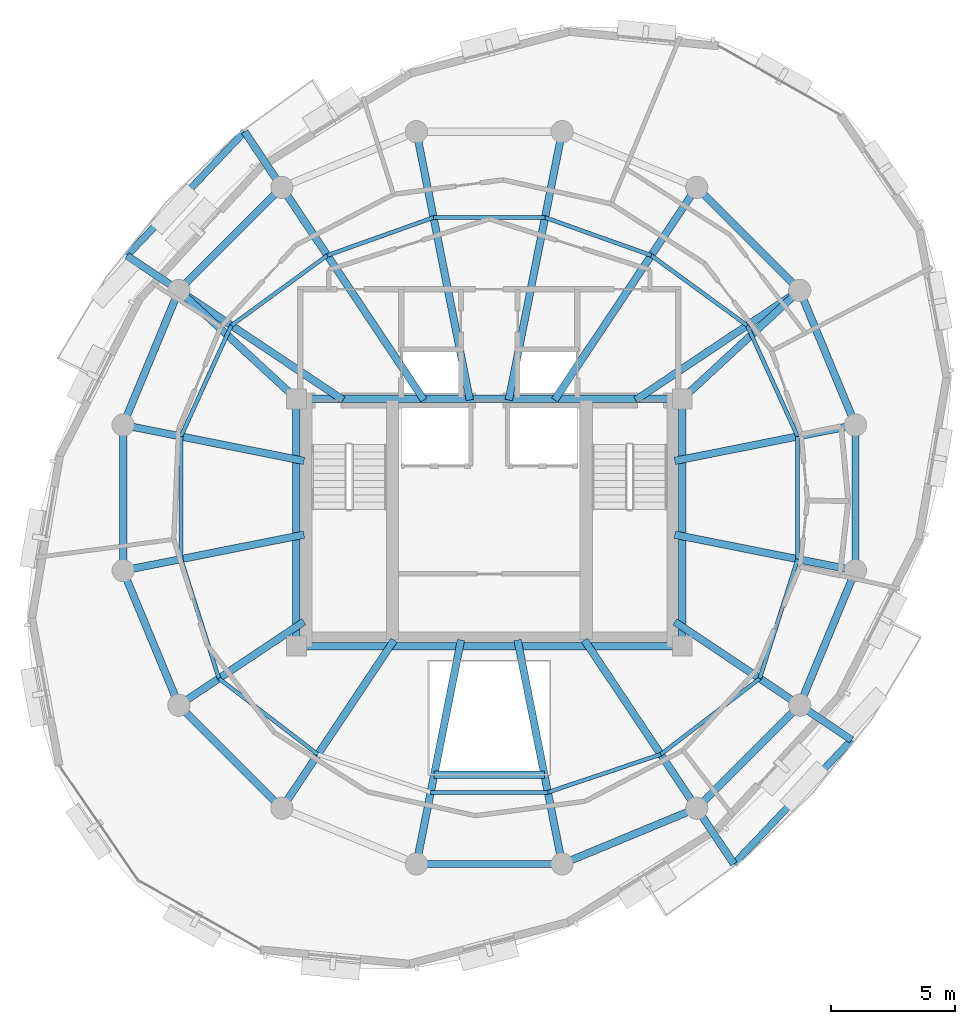
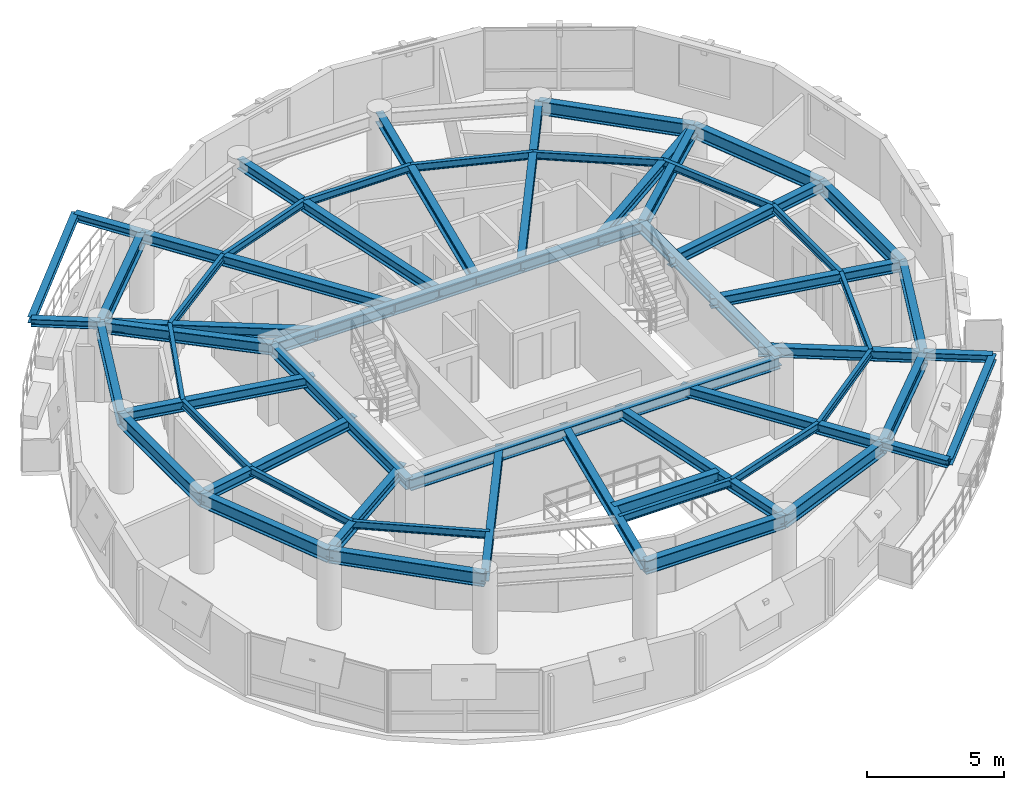
# One storey, part 4 of 12: 56 beams.
"""IFC4 building model written with IfcOpenShell, lengths in metres."""

from ifc_helpers import new_model, si_unit, direction, frame, origin, origin_2d, place, context, subcontext, project, spatial, i_section, extrude, material, material_profile, profile_set, type_object, element, save


model = new_model("IFC4")

# Units and contexts
model_context = context("Model", 3, precision=1e-05, world=origin(), true_north=direction((0.0, 1.0)))
body_context = subcontext(model_context, "Body", "Model", "MODEL_VIEW")
ifc_project = project(units=[si_unit("LENGTHUNIT", "METRE"), si_unit("AREAUNIT", "SQUARE_METRE"), si_unit("VOLUMEUNIT", "CUBIC_METRE"), si_unit("PLANEANGLEUNIT", "RADIAN"), si_unit("MASSUNIT", "GRAM", prefix="KILO"), si_unit("THERMODYNAMICTEMPERATUREUNIT", "KELVIN"), si_unit("POWERUNIT", "WATT")], contexts=[model_context])

# Site, building, storey
site_placement = place(None, origin())
site = spatial("IfcSite", under=ifc_project, at=site_placement, CompositionType="ELEMENT")
building_placement = place(site_placement, origin())
building = spatial("IfcBuilding", under=site, at=building_placement, Name="Ocrelia Relay Tower", CompositionType="ELEMENT")
storey_placement = place(building_placement, frame((0.0, 0.0, 230.39990234375)))
storey = spatial("IfcBuildingStorey", under=building, at=storey_placement, Name="L56", CompositionType="ELEMENT", Elevation=230.39990234375)

# Beams
ifc_material = material(Name="Steel S355", Category="steel")
ifc_material_profile_1 = material_profile(ifc_material, i_section(OverallWidth=0.280029296875, OverallDepth=0.27001953125, WebThickness=0.008056640625, FlangeThickness=0.012939453125, FilletRadius=0.02392578125, at=origin_2d()), Name="HEA 280")
ifc_profile_set_1 = profile_set([ifc_material_profile_1], Name="Steel S355")
beam_type_1 = type_object("IfcBeamType", Name="BM-HEA280", PredefinedType="BEAM", material=ifc_profile_set_1)
for number, where, z_axis, x_axis, name in (
    (1, (24.10498046875, 40.808837890625, 3.2451171875), (-0.68831140645, -0.725415334654, 0.0), (0.725415334654, -0.68831140645, 0.0), "L57 Balcony Edge Trimmer Beam B1"),
    (2, (43.89501953125, 11.191162109375, 3.2451171875), (0.68831140645, 0.725415334654, 0.0), (-0.725415334654, 0.68831140645, 0.0), "L57 Balcony Edge Trimmer Beam B2"),
):
    element("IfcBeam", number, at=place(storey_placement, frame(where, z_axis=z_axis, x_axis=x_axis)), inside=storey, type_object=beam_type_1, Name=name, PredefinedType="BEAM", context=body_context, shape_type="SweptSolid", body=[
        extrude(i_section(OverallWidth=0.280029296875, OverallDepth=0.27001953125, WebThickness=0.008056640625, FlangeThickness=0.012939453125, FilletRadius=0.02392578125, at=origin_2d()), origin(), (0.0, 0.0, 1.0), 6.91552734375),
    ])
ifc_material_profile_2 = material_profile(ifc_material, i_section(OverallWidth=0.300048828125, OverallDepth=0.330078125, WebThickness=0.009521484375, FlangeThickness=0.0166015625, FilletRadius=0.027099609375, at=origin_2d()), Name="HEA 340")
ifc_profile_set_2 = profile_set([ifc_material_profile_2], Name="Steel S355")
beam_type_2 = type_object("IfcBeamType", Name="BM-HEA340", PredefinedType="BEAM", material=ifc_profile_set_2)
beam_1_placement = place(storey_placement, frame((25.61083984375, 38.55517578125, 3.215087890625), z_axis=(-0.555572910279, 0.831467823409, 0.0), x_axis=(-0.831467823409, -0.555572910279, 0.0)))
element("IfcBeam", 3, at=beam_1_placement, inside=storey, type_object=beam_type_2, Name="L57 Balcony Cantilever Beam B1-1", PredefinedType="BEAM", context=body_context, shape_type="SweptSolid", body=[
    extrude(i_section(OverallWidth=0.300048828125, OverallDepth=0.330078125, WebThickness=0.009521484375, FlangeThickness=0.0166015625, FilletRadius=0.027099609375, at=origin_2d()), origin(), (0.0, 0.0, 1.0), 2.71044921875),
])
beam_2_placement = place(storey_placement, frame((21.44482421875, 34.38916015625, 3.215087890625), z_axis=(-0.831469811682, 0.555569934628, 0.0), x_axis=(-0.555569934628, -0.831469811682, 0.0)))
element("IfcBeam", 4, at=beam_2_placement, inside=storey, type_object=beam_type_2, Name="L57 Balcony Cantilever Beam B1-2", PredefinedType="BEAM", context=body_context, shape_type="SweptSolid", body=[
    extrude(i_section(OverallWidth=0.300048828125, OverallDepth=0.330078125, WebThickness=0.009521484375, FlangeThickness=0.0166015625, FilletRadius=0.027099609375, at=origin_2d()), origin(), (0.0, 0.0, 1.0), 2.525390625),
])
beam_3_placement = place(storey_placement, frame((42.38916015625, 13.44482421875, 3.215087890625), z_axis=(0.555572910279, -0.831467823409, 0.0), x_axis=(0.831467823409, 0.555572910279, 0.0)))
element("IfcBeam", 5, at=beam_3_placement, inside=storey, type_object=beam_type_2, Name="L57 Balcony Cantilever Beam B2-1", PredefinedType="BEAM", context=body_context, shape_type="SweptSolid", body=[
    extrude(i_section(OverallWidth=0.300048828125, OverallDepth=0.330078125, WebThickness=0.009521484375, FlangeThickness=0.0166015625, FilletRadius=0.027099609375, at=origin_2d()), origin(), (0.0, 0.0, 1.0), 2.71044921875),
])
beam_4_placement = place(storey_placement, frame((46.55517578125, 17.61083984375, 3.215087890625), z_axis=(0.831469811682, -0.555569934628, 0.0), x_axis=(0.555569934628, 0.831469811682, 0.0)))
element("IfcBeam", 6, at=beam_4_placement, inside=storey, type_object=beam_type_2, Name="L57 Balcony Cantilever Beam B2-2", PredefinedType="BEAM", context=body_context, shape_type="SweptSolid", body=[
    extrude(i_section(OverallWidth=0.300048828125, OverallDepth=0.330078125, WebThickness=0.009521484375, FlangeThickness=0.0166015625, FilletRadius=0.027099609375, at=origin_2d()), origin(), (0.0, 0.0, 1.0), 2.525390625),
])
ifc_material_profile_3 = material_profile(ifc_material, i_section(OverallWidth=0.300048828125, OverallDepth=0.449951171875, WebThickness=0.013916015625, FlangeThickness=0.02587890625, FilletRadius=0.027099609375, at=origin_2d()), Name="HEB 450")
ifc_profile_set_3 = profile_set([ifc_material_profile_3], Name="Steel S355")
beam_type_3 = type_object("IfcBeamType", Name="BM-HEB450", PredefinedType="BEAM", material=ifc_profile_set_3)
beam_5_placement = place(storey_placement, frame((48.809814453125, 28.94580078125, 3.155029296875), z_axis=(-0.980789400571, -0.195069607393, 0.0), x_axis=(0.195069607393, -0.980789400571, 0.0)))
element("IfcBeam", 7, at=beam_5_placement, inside=storey, type_object=beam_type_3, Name="L56 Radial Floor Girder R01", PredefinedType="BEAM", context=body_context, shape_type="SweptSolid", body=[
    extrude(i_section(OverallWidth=0.300048828125, OverallDepth=0.449951171875, WebThickness=0.013916015625, FlangeThickness=0.02587890625, FilletRadius=0.027099609375, at=origin_2d()), origin(), (0.0, 0.0, 1.0), 7.447998046875),
])
beam_6_placement = place(storey_placement, frame((46.55517578125, 34.38916015625, 3.155029296875), z_axis=(-0.83146627118, -0.555575233331, 0.0), x_axis=(0.555575233331, -0.83146627118, 0.0)))
element("IfcBeam", 8, at=beam_6_placement, inside=storey, type_object=beam_type_3, Name="L56 Radial Floor Girder R02", PredefinedType="BEAM", context=body_context, shape_type="SweptSolid", body=[
    extrude(i_section(OverallWidth=0.300048828125, OverallDepth=0.449951171875, WebThickness=0.013916015625, FlangeThickness=0.02587890625, FilletRadius=0.027099609375, at=origin_2d()), origin(), (0.0, 0.0, 1.0), 7.98095703125),
])
beam_7_placement = place(storey_placement, frame((42.38916015625, 38.55517578125, 3.155029296875), z_axis=(-0.555582296999, -0.831461551283, 0.0), x_axis=(0.831461551283, -0.555582296999, 0.0)))
element("IfcBeam", 9, at=beam_7_placement, inside=storey, type_object=beam_type_3, Name="L56 Radial Floor Girder R03", PredefinedType="BEAM", context=body_context, shape_type="SweptSolid", body=[
    extrude(i_section(OverallWidth=0.300048828125, OverallDepth=0.449951171875, WebThickness=0.013916015625, FlangeThickness=0.02587890625, FilletRadius=0.027099609375, at=origin_2d()), origin(), (0.0, 0.0, 1.0), 10.34326171875),
])
for number, where, z_axis, x_axis, name in (
    (10, (36.94580078125, 40.809814453125, 3.155029296875), (-0.195093658495, -0.98078461673, 0.0), (0.98078461673, -0.195093658495, 0.0), "L56 Radial Floor Girder R04"),
    (11, (31.05419921875, 40.809814453125, 3.155029296875), (0.195093658495, -0.98078461673, 0.0), (0.98078461673, 0.195093658495, 0.0), "L56 Radial Floor Girder R05"),
):
    element("IfcBeam", number, at=place(storey_placement, frame(where, z_axis=z_axis, x_axis=x_axis)), inside=storey, type_object=beam_type_3, Name=name, PredefinedType="BEAM", context=body_context, shape_type="SweptSolid", body=[
        extrude(i_section(OverallWidth=0.300048828125, OverallDepth=0.449951171875, WebThickness=0.013916015625, FlangeThickness=0.02587890625, FilletRadius=0.027099609375, at=origin_2d()), origin(), (0.0, 0.0, 1.0), 11.0673828125),
    ])
beam_8_placement = place(storey_placement, frame((25.61083984375, 38.55517578125, 3.155029296875), z_axis=(0.555582296999, -0.831461551283, 0.0), x_axis=(0.831461551283, 0.555582296999, 0.0)))
element("IfcBeam", 12, at=beam_8_placement, inside=storey, type_object=beam_type_3, Name="L56 Radial Floor Girder R06", PredefinedType="BEAM", context=body_context, shape_type="SweptSolid", body=[
    extrude(i_section(OverallWidth=0.300048828125, OverallDepth=0.449951171875, WebThickness=0.013916015625, FlangeThickness=0.02587890625, FilletRadius=0.027099609375, at=origin_2d()), origin(), (0.0, 0.0, 1.0), 10.34326171875),
])
beam_9_placement = place(storey_placement, frame((21.44482421875, 34.38916015625, 3.155029296875), z_axis=(0.83146627118, -0.555575233331, 0.0), x_axis=(0.555575233331, 0.83146627118, 0.0)))
element("IfcBeam", 13, at=beam_9_placement, inside=storey, type_object=beam_type_3, Name="L56 Radial Floor Girder R07", PredefinedType="BEAM", context=body_context, shape_type="SweptSolid", body=[
    extrude(i_section(OverallWidth=0.300048828125, OverallDepth=0.449951171875, WebThickness=0.013916015625, FlangeThickness=0.02587890625, FilletRadius=0.027099609375, at=origin_2d()), origin(), (0.0, 0.0, 1.0), 7.98095703125),
])
for number, where, z_axis, x_axis, name in (
    (14, (19.190185546875, 28.94580078125, 3.155029296875), (0.980789122594, -0.195071005024, 0.0), (0.195071005024, 0.980789122594, 0.0), "L56 Radial Floor Girder R08"),
    (15, (19.190185546875, 23.05419921875, 3.155029296875), (0.980789122594, 0.195071005024, 0.0), (-0.195071005024, 0.980789122594, 0.0), "L56 Radial Floor Girder R09"),
):
    element("IfcBeam", number, at=place(storey_placement, frame(where, z_axis=z_axis, x_axis=x_axis)), inside=storey, type_object=beam_type_3, Name=name, PredefinedType="BEAM", context=body_context, shape_type="SweptSolid", body=[
        extrude(i_section(OverallWidth=0.300048828125, OverallDepth=0.449951171875, WebThickness=0.013916015625, FlangeThickness=0.02587890625, FilletRadius=0.027099609375, at=origin_2d()), origin(), (0.0, 0.0, 1.0), 7.4580078125),
    ])
beam_10_placement = place(storey_placement, frame((21.44482421875, 17.61083984375, 3.155029296875), z_axis=(0.831463505153, 0.555579372906, 0.0), x_axis=(-0.555579372906, 0.831463505153, 0.0)))
element("IfcBeam", 16, at=beam_10_placement, inside=storey, type_object=beam_type_3, Name="L56 Radial Floor Girder R10", PredefinedType="BEAM", context=body_context, shape_type="SweptSolid", body=[
    extrude(i_section(OverallWidth=0.300048828125, OverallDepth=0.449951171875, WebThickness=0.013916015625, FlangeThickness=0.02587890625, FilletRadius=0.027099609375, at=origin_2d()), origin(), (0.0, 0.0, 1.0), 6.085693359375),
])
beam_11_placement = place(storey_placement, frame((25.61083984375, 13.44482421875, 3.155029296875), z_axis=(0.555560991962, 0.831475786906, 0.0), x_axis=(-0.831475786906, 0.555560991962, 0.0)))
element("IfcBeam", 17, at=beam_11_placement, inside=storey, type_object=beam_type_3, Name="L56 Radial Floor Girder R11", PredefinedType="BEAM", context=body_context, shape_type="SweptSolid", body=[
    extrude(i_section(OverallWidth=0.300048828125, OverallDepth=0.449951171875, WebThickness=0.013916015625, FlangeThickness=0.02587890625, FilletRadius=0.027099609375, at=origin_2d()), origin(), (0.0, 0.0, 1.0), 8.178466796875),
])
for number, where, z_axis, x_axis, name in (
    (18, (31.05419921875, 11.190185546875, 3.155029296875), (0.195078600472, 0.98078761189, 0.0), (-0.98078761189, 0.195078600472, 0.0), "L56 Radial Floor Girder R12"),
    (19, (36.94580078125, 11.190185546875, 3.155029296875), (-0.195078600472, 0.98078761189, 0.0), (-0.98078761189, -0.195078600472, 0.0), "L56 Radial Floor Girder R13"),
):
    element("IfcBeam", number, at=place(storey_placement, frame(where, z_axis=z_axis, x_axis=x_axis)), inside=storey, type_object=beam_type_3, Name=name, PredefinedType="BEAM", context=body_context, shape_type="SweptSolid", body=[
        extrude(i_section(OverallWidth=0.300048828125, OverallDepth=0.449951171875, WebThickness=0.013916015625, FlangeThickness=0.02587890625, FilletRadius=0.027099609375, at=origin_2d()), origin(), (0.0, 0.0, 1.0), 9.232421875),
    ])
beam_12_placement = place(storey_placement, frame((42.38916015625, 13.44482421875, 3.155029296875), z_axis=(-0.555560991962, 0.831475786906, 0.0), x_axis=(-0.831475786906, -0.555560991962, 0.0)))
element("IfcBeam", 20, at=beam_12_placement, inside=storey, type_object=beam_type_3, Name="L56 Radial Floor Girder R14", PredefinedType="BEAM", context=body_context, shape_type="SweptSolid", body=[
    extrude(i_section(OverallWidth=0.300048828125, OverallDepth=0.449951171875, WebThickness=0.013916015625, FlangeThickness=0.02587890625, FilletRadius=0.027099609375, at=origin_2d()), origin(), (0.0, 0.0, 1.0), 8.178466796875),
])
beam_13_placement = place(storey_placement, frame((46.55517578125, 17.61083984375, 3.155029296875), z_axis=(-0.831468559595, 0.555571808504, 0.0), x_axis=(-0.555571808504, -0.831468559595, 0.0)))
element("IfcBeam", 21, at=beam_13_placement, inside=storey, type_object=beam_type_3, Name="L56 Radial Floor Girder R15", PredefinedType="BEAM", context=body_context, shape_type="SweptSolid", body=[
    extrude(i_section(OverallWidth=0.300048828125, OverallDepth=0.449951171875, WebThickness=0.013916015625, FlangeThickness=0.02587890625, FilletRadius=0.027099609375, at=origin_2d()), origin(), (0.0, 0.0, 1.0), 6.073974609375),
])
beam_14_placement = place(storey_placement, frame((48.809814453125, 23.05419921875, 3.155029296875), z_axis=(-0.980789400571, 0.195069607393, 0.0), x_axis=(-0.195069607393, -0.980789400571, 0.0)))
element("IfcBeam", 22, at=beam_14_placement, inside=storey, type_object=beam_type_3, Name="L56 Radial Floor Girder R16", PredefinedType="BEAM", context=body_context, shape_type="SweptSolid", body=[
    extrude(i_section(OverallWidth=0.300048828125, OverallDepth=0.449951171875, WebThickness=0.013916015625, FlangeThickness=0.02587890625, FilletRadius=0.027099609375, at=origin_2d()), origin(), (0.0, 0.0, 1.0), 7.447998046875),
])
ifc_material_profile_4 = material_profile(ifc_material, i_section(OverallWidth=0.300048828125, OverallDepth=0.5, WebThickness=0.014404296875, FlangeThickness=0.028076171875, FilletRadius=0.027099609375, at=origin_2d()), Name="HEB 500")
ifc_profile_set_4 = profile_set([ifc_material_profile_4], Name="Steel S355")
beam_type_4 = type_object("IfcBeamType", Name="BM-HEB500", PredefinedType="BEAM", material=ifc_profile_set_4)
for number, where, z_axis, x_axis, name in (
    (23, (26.199951171875, 20.0, 3.130126953125), (1.0, 0.0, 0.0), (0.0, 1.0, 0.0), "L56 Core Pilaster Tie Beam S"),
    (24, (26.199951171875, 30.0, 3.130126953125), (1.0, 0.0, 0.0), (0.0, 1.0, 0.0), "L56 Core Pilaster Tie Beam N"),
):
    element("IfcBeam", number, at=place(storey_placement, frame(where, z_axis=z_axis, x_axis=x_axis)), inside=storey, type_object=beam_type_4, Name=name, PredefinedType="BEAM", context=body_context, shape_type="SweptSolid", body=[
        extrude(i_section(OverallWidth=0.300048828125, OverallDepth=0.5, WebThickness=0.014404296875, FlangeThickness=0.028076171875, FilletRadius=0.027099609375, at=origin_2d()), origin(), (0.0, 0.0, 1.0), 15.60009765625),
    ])
for number, where, z_axis, x_axis, name in (
    (25, (26.199951171875, 20.0, 3.130126953125), (0.0, 1.0, 0.0), (-1.0, 0.0, 0.0), "L56 Core Pilaster Tie Beam W"),
    (26, (41.800048828125, 20.0, 3.130126953125), (0.0, 1.0, 0.0), (-1.0, 0.0, 0.0), "L56 Core Pilaster Tie Beam E"),
):
    element("IfcBeam", number, at=place(storey_placement, frame(where, z_axis=z_axis, x_axis=x_axis)), inside=storey, type_object=beam_type_4, Name=name, PredefinedType="BEAM", context=body_context, shape_type="SweptSolid", body=[
        extrude(i_section(OverallWidth=0.300048828125, OverallDepth=0.5, WebThickness=0.014404296875, FlangeThickness=0.028076171875, FilletRadius=0.027099609375, at=origin_2d()), origin(), (0.0, 0.0, 1.0), 10.0),
    ])
for number, where, z_axis, x_axis, name in (
    (27, (46.55517578125, 34.38916015625, 3.130126953125), (-0.734817908666, -0.678264433023, 0.0), (0.678264433023, -0.734817908666, 0.0), "L56 Core Pilaster Frame Tie Beam PT02"),
    (28, (21.44482421875, 34.38916015625, 3.130126953125), (0.734817908666, -0.678264433023, 0.0), (0.678264433023, 0.734817908666, 0.0), "L56 Core Pilaster Frame Tie Beam PT07"),
):
    element("IfcBeam", number, at=place(storey_placement, frame(where, z_axis=z_axis, x_axis=x_axis)), inside=storey, type_object=beam_type_4, Name=name, PredefinedType="BEAM", context=body_context, shape_type="SweptSolid", body=[
        extrude(i_section(OverallWidth=0.300048828125, OverallDepth=0.5, WebThickness=0.014404296875, FlangeThickness=0.028076171875, FilletRadius=0.027099609375, at=origin_2d()), origin(), (0.0, 0.0, 1.0), 6.47119140625),
    ])
ifc_material_profile_5 = material_profile(ifc_material, i_section(OverallWidth=0.300048828125, OverallDepth=0.550048828125, WebThickness=0.014892578125, FlangeThickness=0.029052734375, FilletRadius=0.027099609375, at=origin_2d()), Name="HEB 550")
ifc_profile_set_5 = profile_set([ifc_material_profile_5], Name="Steel S355")
beam_type_5 = type_object("IfcBeamType", Name="BM-HEB550", PredefinedType="BEAM", material=ifc_profile_set_5)
beam_15_placement = place(storey_placement, frame((31.772216796875, 14.800048828125, 3.10498046875), z_axis=(1.0, 0.0, 0.0), x_axis=(0.0, 1.0, 0.0)))
element("IfcBeam", 29, at=beam_15_placement, inside=storey, type_object=beam_type_5, Name="L56 Atrium South Trimmer Beam", PredefinedType="BEAM", context=body_context, shape_type="SweptSolid", body=[
    extrude(i_section(OverallWidth=0.300048828125, OverallDepth=0.550048828125, WebThickness=0.014892578125, FlangeThickness=0.029052734375, FilletRadius=0.027099609375, at=origin_2d()), origin(), (0.0, 0.0, 1.0), 4.45556640625),
])
ifc_material_profile_6 = material_profile(ifc_material, i_section(OverallWidth=0.300048828125, OverallDepth=0.60009765625, WebThickness=0.015380859375, FlangeThickness=0.030029296875, FilletRadius=0.027099609375, at=origin_2d()), Name="HEB 600")
ifc_profile_set_6 = profile_set([ifc_material_profile_6], Name="Steel S355")
beam_type_6 = type_object("IfcBeamType", Name="BM-HEB600", PredefinedType="BEAM", material=ifc_profile_set_6)
beam_16_placement = place(storey_placement, frame((48.809814453125, 28.94580078125, 3.080078125), z_axis=(-0.382672624084, 0.923884009374, 0.0), x_axis=(-0.923884009374, -0.382672624084, 0.0)))
element("IfcBeam", 30, at=beam_16_placement, inside=storey, type_object=beam_type_6, Name="L56 Perimeter Spandrel Beam S01", PredefinedType="BEAM", context=body_context, shape_type="SweptSolid", body=[
    extrude(i_section(OverallWidth=0.300048828125, OverallDepth=0.60009765625, WebThickness=0.015380859375, FlangeThickness=0.030029296875, FilletRadius=0.027099609375, at=origin_2d()), origin(), (0.0, 0.0, 1.0), 5.891845703125),
])
for number, where, z_axis, x_axis, name in (
    (31, (46.55517578125, 34.38916015625, 3.080078125), (-0.707106781187, 0.707106781187, 0.0), (-0.707106781187, -0.707106781187, 0.0), "L56 Perimeter Spandrel Beam S02"),
    (32, (25.61083984375, 38.55517578125, 3.080078125), (-0.707106781187, -0.707106781187, 0.0), (0.707106781187, -0.707106781187, 0.0), "L56 Perimeter Spandrel Beam S06"),
):
    element("IfcBeam", number, at=place(storey_placement, frame(where, z_axis=z_axis, x_axis=x_axis)), inside=storey, type_object=beam_type_6, Name=name, PredefinedType="BEAM", context=body_context, shape_type="SweptSolid", body=[
        extrude(i_section(OverallWidth=0.300048828125, OverallDepth=0.60009765625, WebThickness=0.015380859375, FlangeThickness=0.030029296875, FilletRadius=0.027099609375, at=origin_2d()), origin(), (0.0, 0.0, 1.0), 5.8916015625),
    ])
beam_17_placement = place(storey_placement, frame((21.44482421875, 34.38916015625, 3.080078125), z_axis=(-0.382672624084, -0.923884009374, 0.0), x_axis=(0.923884009374, -0.382672624084, 0.0)))
element("IfcBeam", 33, at=beam_17_placement, inside=storey, type_object=beam_type_6, Name="L56 Perimeter Spandrel Beam S07", PredefinedType="BEAM", context=body_context, shape_type="SweptSolid", body=[
    extrude(i_section(OverallWidth=0.300048828125, OverallDepth=0.60009765625, WebThickness=0.015380859375, FlangeThickness=0.030029296875, FilletRadius=0.027099609375, at=origin_2d()), origin(), (0.0, 0.0, 1.0), 5.891845703125),
])
beam_18_placement = place(storey_placement, frame((19.190185546875, 28.94580078125, 3.080078125), z_axis=(0.0, -1.0, 0.0), x_axis=(1.0, 0.0, 0.0)))
element("IfcBeam", 34, at=beam_18_placement, inside=storey, type_object=beam_type_6, Name="L56 Perimeter Spandrel Beam S08", PredefinedType="BEAM", context=body_context, shape_type="SweptSolid", body=[
    extrude(i_section(OverallWidth=0.300048828125, OverallDepth=0.60009765625, WebThickness=0.015380859375, FlangeThickness=0.030029296875, FilletRadius=0.027099609375, at=origin_2d()), origin(), (0.0, 0.0, 1.0), 5.8916015625),
])
beam_19_placement = place(storey_placement, frame((19.190185546875, 23.05419921875, 3.080078125), z_axis=(0.382672624084, -0.923884009374, 0.0), x_axis=(0.923884009374, 0.382672624084, 0.0)))
element("IfcBeam", 35, at=beam_19_placement, inside=storey, type_object=beam_type_6, Name="L56 Perimeter Spandrel Beam S09", PredefinedType="BEAM", context=body_context, shape_type="SweptSolid", body=[
    extrude(i_section(OverallWidth=0.300048828125, OverallDepth=0.60009765625, WebThickness=0.015380859375, FlangeThickness=0.030029296875, FilletRadius=0.027099609375, at=origin_2d()), origin(), (0.0, 0.0, 1.0), 5.891845703125),
])
for number, where, z_axis, x_axis, name in (
    (36, (21.44482421875, 17.61083984375, 3.080078125), (0.707106781187, -0.707106781187, 0.0), (0.707106781187, 0.707106781187, 0.0), "L56 Perimeter Spandrel Beam S10"),
    (37, (31.05419921875, 11.190185546875, 3.080078125), (1.0, 0.0, 0.0), (0.0, 1.0, 0.0), "L56 Perimeter Spandrel Beam S12"),
):
    element("IfcBeam", number, at=place(storey_placement, frame(where, z_axis=z_axis, x_axis=x_axis)), inside=storey, type_object=beam_type_6, Name=name, PredefinedType="BEAM", context=body_context, shape_type="SweptSolid", body=[
        extrude(i_section(OverallWidth=0.300048828125, OverallDepth=0.60009765625, WebThickness=0.015380859375, FlangeThickness=0.030029296875, FilletRadius=0.027099609375, at=origin_2d()), origin(), (0.0, 0.0, 1.0), 5.8916015625),
    ])
beam_20_placement = place(storey_placement, frame((36.94580078125, 11.190185546875, 3.080078125), z_axis=(0.923884009374, 0.382672624084, 0.0), x_axis=(-0.382672624084, 0.923884009374, 0.0)))
element("IfcBeam", 38, at=beam_20_placement, inside=storey, type_object=beam_type_6, Name="L56 Perimeter Spandrel Beam S13", PredefinedType="BEAM", context=body_context, shape_type="SweptSolid", body=[
    extrude(i_section(OverallWidth=0.300048828125, OverallDepth=0.60009765625, WebThickness=0.015380859375, FlangeThickness=0.030029296875, FilletRadius=0.027099609375, at=origin_2d()), origin(), (0.0, 0.0, 1.0), 5.891845703125),
])
beam_21_placement = place(storey_placement, frame((42.38916015625, 13.44482421875, 3.080078125), z_axis=(0.707106781187, 0.707106781187, 0.0), x_axis=(-0.707106781187, 0.707106781187, 0.0)))
element("IfcBeam", 39, at=beam_21_placement, inside=storey, type_object=beam_type_6, Name="L56 Perimeter Spandrel Beam S14", PredefinedType="BEAM", context=body_context, shape_type="SweptSolid", body=[
    extrude(i_section(OverallWidth=0.300048828125, OverallDepth=0.60009765625, WebThickness=0.015380859375, FlangeThickness=0.030029296875, FilletRadius=0.027099609375, at=origin_2d()), origin(), (0.0, 0.0, 1.0), 5.8916015625),
])
beam_22_placement = place(storey_placement, frame((46.55517578125, 17.61083984375, 3.080078125), z_axis=(0.382672624084, 0.923884009374, 0.0), x_axis=(-0.923884009374, 0.382672624084, 0.0)))
element("IfcBeam", 40, at=beam_22_placement, inside=storey, type_object=beam_type_6, Name="L56 Perimeter Spandrel Beam S15", PredefinedType="BEAM", context=body_context, shape_type="SweptSolid", body=[
    extrude(i_section(OverallWidth=0.300048828125, OverallDepth=0.60009765625, WebThickness=0.015380859375, FlangeThickness=0.030029296875, FilletRadius=0.027099609375, at=origin_2d()), origin(), (0.0, 0.0, 1.0), 5.891845703125),
])
beam_23_placement = place(storey_placement, frame((48.809814453125, 23.05419921875, 3.080078125), z_axis=(0.0, 1.0, 0.0), x_axis=(-1.0, 0.0, 0.0)))
element("IfcBeam", 41, at=beam_23_placement, inside=storey, type_object=beam_type_6, Name="L56 Perimeter Spandrel Beam S16", PredefinedType="BEAM", context=body_context, shape_type="SweptSolid", body=[
    extrude(i_section(OverallWidth=0.300048828125, OverallDepth=0.60009765625, WebThickness=0.015380859375, FlangeThickness=0.030029296875, FilletRadius=0.027099609375, at=origin_2d()), origin(), (0.0, 0.0, 1.0), 5.8916015625),
])
ifc_material_profile_7 = material_profile(ifc_material, i_section(OverallWidth=0.159912109375, OverallDepth=0.330078125, WebThickness=0.007568359375, FlangeThickness=0.011474609375, FilletRadius=0.01806640625, at=origin_2d()), Name="IPE 330")
ifc_profile_set_7 = profile_set([ifc_material_profile_7], Name="Steel S355")
beam_type_7 = type_object("IfcBeamType", Name="BM-IPE330", PredefinedType="JOIST", material=ifc_profile_set_7)
beam_24_placement = place(storey_placement, frame((46.472412109375, 28.48095703125, 3.215087890625), z_axis=(-0.413836514443, 0.91035121756, 0.0), x_axis=(-0.91035121756, -0.413836514443, 0.0)))
element("IfcBeam", 42, at=beam_24_placement, inside=storey, type_object=beam_type_7, Name="L56 Secondary Floor Joist J01", PredefinedType="JOIST", context=body_context, shape_type="SweptSolid", body=[
    extrude(i_section(OverallWidth=0.159912109375, OverallDepth=0.330078125, WebThickness=0.007568359375, FlangeThickness=0.011474609375, FilletRadius=0.01806640625, at=origin_2d()), origin(), (0.0, 0.0, 1.0), 4.931396484375),
])
beam_25_placement = place(storey_placement, frame((44.431640625, 32.97021484375, 3.215087890625), z_axis=(-0.80774844416, 0.58952731146, 0.0), x_axis=(-0.58952731146, -0.80774844416, 0.0)))
element("IfcBeam", 43, at=beam_25_placement, inside=storey, type_object=beam_type_7, Name="L56 Secondary Floor Joist J02", PredefinedType="JOIST", context=body_context, shape_type="SweptSolid", body=[
    extrude(i_section(OverallWidth=0.159912109375, OverallDepth=0.330078125, WebThickness=0.007568359375, FlangeThickness=0.011474609375, FilletRadius=0.01806640625, at=origin_2d()), origin(), (0.0, 0.0, 1.0), 4.80517578125),
])
beam_26_placement = place(storey_placement, frame((40.55029296875, 35.802978515625, 3.215087890625), z_axis=(-0.94180245035, 0.336166840298, 0.0), x_axis=(-0.336166840298, -0.94180245035, 0.0)))
element("IfcBeam", 44, at=beam_26_placement, inside=storey, type_object=beam_type_7, Name="L56 Secondary Floor Joist J03", PredefinedType="JOIST", context=body_context, shape_type="SweptSolid", body=[
    extrude(i_section(OverallWidth=0.159912109375, OverallDepth=0.330078125, WebThickness=0.007568359375, FlangeThickness=0.011474609375, FilletRadius=0.01806640625, at=origin_2d()), origin(), (0.0, 0.0, 1.0), 4.560791015625),
])
beam_27_placement = place(storey_placement, frame((36.2548828125, 37.336181640625, 3.215087890625), z_axis=(-1.0, 0.0, 0.0), x_axis=(0.0, -1.0, 0.0)))
element("IfcBeam", 45, at=beam_27_placement, inside=storey, type_object=beam_type_7, Name="L56 Secondary Floor Joist J04", PredefinedType="JOIST", context=body_context, shape_type="SweptSolid", body=[
    extrude(i_section(OverallWidth=0.159912109375, OverallDepth=0.330078125, WebThickness=0.007568359375, FlangeThickness=0.011474609375, FilletRadius=0.01806640625, at=origin_2d()), origin(), (0.0, 0.0, 1.0), 4.509765625),
])
beam_28_placement = place(storey_placement, frame((31.7451171875, 37.336181640625, 3.215087890625), z_axis=(-0.94180245035, -0.336166840298, 0.0), x_axis=(0.336166840298, -0.94180245035, 0.0)))
element("IfcBeam", 46, at=beam_28_placement, inside=storey, type_object=beam_type_7, Name="L56 Secondary Floor Joist J05", PredefinedType="JOIST", context=body_context, shape_type="SweptSolid", body=[
    extrude(i_section(OverallWidth=0.159912109375, OverallDepth=0.330078125, WebThickness=0.007568359375, FlangeThickness=0.011474609375, FilletRadius=0.01806640625, at=origin_2d()), origin(), (0.0, 0.0, 1.0), 4.560791015625),
])
beam_29_placement = place(storey_placement, frame((27.44970703125, 35.802978515625, 3.215087890625), z_axis=(-0.80774844416, -0.58952731146, 0.0), x_axis=(0.58952731146, -0.80774844416, 0.0)))
element("IfcBeam", 47, at=beam_29_placement, inside=storey, type_object=beam_type_7, Name="L56 Secondary Floor Joist J06", PredefinedType="JOIST", context=body_context, shape_type="SweptSolid", body=[
    extrude(i_section(OverallWidth=0.159912109375, OverallDepth=0.330078125, WebThickness=0.007568359375, FlangeThickness=0.011474609375, FilletRadius=0.01806640625, at=origin_2d()), origin(), (0.0, 0.0, 1.0), 4.80517578125),
])
beam_30_placement = place(storey_placement, frame((23.568359375, 32.97021484375, 3.215087890625), z_axis=(-0.413205957462, -0.910637599003, 0.0), x_axis=(0.910637599003, -0.413205957462, 0.0)))
element("IfcBeam", 48, at=beam_30_placement, inside=storey, type_object=beam_type_7, Name="L56 Secondary Floor Joist J07", PredefinedType="JOIST", context=body_context, shape_type="SweptSolid", body=[
    extrude(i_section(OverallWidth=0.159912109375, OverallDepth=0.330078125, WebThickness=0.007568359375, FlangeThickness=0.011474609375, FilletRadius=0.01806640625, at=origin_2d()), origin(), (0.0, 0.0, 1.0), 4.9306640625),
])
beam_31_placement = place(storey_placement, frame((21.531005859375, 28.480224609375, 3.215087890625), z_axis=(0.0, -1.0, 0.0), x_axis=(1.0, 0.0, 0.0)))
element("IfcBeam", 49, at=beam_31_placement, inside=storey, type_object=beam_type_7, Name="L56 Secondary Floor Joist J08", PredefinedType="JOIST", context=body_context, shape_type="SweptSolid", body=[
    extrude(i_section(OverallWidth=0.159912109375, OverallDepth=0.330078125, WebThickness=0.007568359375, FlangeThickness=0.011474609375, FilletRadius=0.01806640625, at=origin_2d()), origin(), (0.0, 0.0, 1.0), 4.96044921875),
])
beam_32_placement = place(storey_placement, frame((21.531005859375, 23.519775390625, 3.215087890625), z_axis=(0.302732054046, -0.953075707094, 0.0), x_axis=(0.953075707094, 0.302732054046, 0.0)))
element("IfcBeam", 50, at=beam_32_placement, inside=storey, type_object=beam_type_7, Name="L56 Secondary Floor Joist J09", PredefinedType="JOIST", context=body_context, shape_type="SweptSolid", body=[
    extrude(i_section(OverallWidth=0.159912109375, OverallDepth=0.330078125, WebThickness=0.007568359375, FlangeThickness=0.011474609375, FilletRadius=0.01806640625, at=origin_2d()), origin(), (0.0, 0.0, 1.0), 5.064453125),
])
beam_33_placement = place(storey_placement, frame((23.064208984375, 18.69287109375, 3.215087890625), z_axis=(0.793147291367, -0.60902986314, 0.0), x_axis=(0.60902986314, 0.793147291367, 0.0)))
element("IfcBeam", 51, at=beam_33_placement, inside=storey, type_object=beam_type_7, Name="L56 Secondary Floor Joist J10", PredefinedType="JOIST", context=body_context, shape_type="SweptSolid", body=[
    extrude(i_section(OverallWidth=0.159912109375, OverallDepth=0.330078125, WebThickness=0.007568359375, FlangeThickness=0.011474609375, FilletRadius=0.01806640625, at=origin_2d()), origin(), (0.0, 0.0, 1.0), 5.044189453125),
])
beam_34_placement = place(storey_placement, frame((31.630615234375, 14.087646484375, 3.215087890625), z_axis=(1.0, 0.0, 0.0), x_axis=(0.0, 1.0, 0.0)))
element("IfcBeam", 52, at=beam_34_placement, inside=storey, type_object=beam_type_7, Name="L56 Secondary Floor Joist J12", PredefinedType="JOIST", context=body_context, shape_type="SweptSolid", body=[
    extrude(i_section(OverallWidth=0.159912109375, OverallDepth=0.330078125, WebThickness=0.007568359375, FlangeThickness=0.011474609375, FilletRadius=0.01806640625, at=origin_2d()), origin(), (0.0, 0.0, 1.0), 4.73876953125),
])
beam_35_placement = place(storey_placement, frame((36.369384765625, 14.087646484375, 3.215087890625), z_axis=(0.947976335242, 0.318340804519, 0.0), x_axis=(-0.318340804519, 0.947976335242, 0.0)))
element("IfcBeam", 53, at=beam_35_placement, inside=storey, type_object=beam_type_7, Name="L56 Secondary Floor Joist J13", PredefinedType="JOIST", context=body_context, shape_type="SweptSolid", body=[
    extrude(i_section(OverallWidth=0.159912109375, OverallDepth=0.330078125, WebThickness=0.007568359375, FlangeThickness=0.011474609375, FilletRadius=0.01806640625, at=origin_2d()), origin(), (0.0, 0.0, 1.0), 4.816162109375),
])
beam_36_placement = place(storey_placement, frame((40.93505859375, 15.620849609375, 3.215087890625), z_axis=(0.793608697717, 0.608428496134, 0.0), x_axis=(-0.608428496134, 0.793608697717, 0.0)))
element("IfcBeam", 54, at=beam_36_placement, inside=storey, type_object=beam_type_7, Name="L56 Secondary Floor Joist J14", PredefinedType="JOIST", context=body_context, shape_type="SweptSolid", body=[
    extrude(i_section(OverallWidth=0.159912109375, OverallDepth=0.330078125, WebThickness=0.007568359375, FlangeThickness=0.011474609375, FilletRadius=0.01806640625, at=origin_2d()), origin(), (0.0, 0.0, 1.0), 5.04541015625),
])
beam_37_placement = place(storey_placement, frame((44.939208984375, 18.690673828125, 3.215087890625), z_axis=(0.302648624063, 0.953102203519, 0.0), x_axis=(-0.953102203519, 0.302648624063, 0.0)))
element("IfcBeam", 55, at=beam_37_placement, inside=storey, type_object=beam_type_7, Name="L56 Secondary Floor Joist J15", PredefinedType="JOIST", context=body_context, shape_type="SweptSolid", body=[
    extrude(i_section(OverallWidth=0.159912109375, OverallDepth=0.330078125, WebThickness=0.007568359375, FlangeThickness=0.011474609375, FilletRadius=0.01806640625, at=origin_2d()), origin(), (0.0, 0.0, 1.0), 5.06591796875),
])
beam_38_placement = place(storey_placement, frame((46.472412109375, 23.51904296875, 3.215087890625), z_axis=(0.0, 1.0, 0.0), x_axis=(-1.0, 0.0, 0.0)))
element("IfcBeam", 56, at=beam_38_placement, inside=storey, type_object=beam_type_7, Name="L56 Secondary Floor Joist J16", PredefinedType="JOIST", context=body_context, shape_type="SweptSolid", body=[
    extrude(i_section(OverallWidth=0.159912109375, OverallDepth=0.330078125, WebThickness=0.007568359375, FlangeThickness=0.011474609375, FilletRadius=0.01806640625, at=origin_2d()), origin(), (0.0, 0.0, 1.0), 4.9619140625),
])

save(model, "model.ifc")
